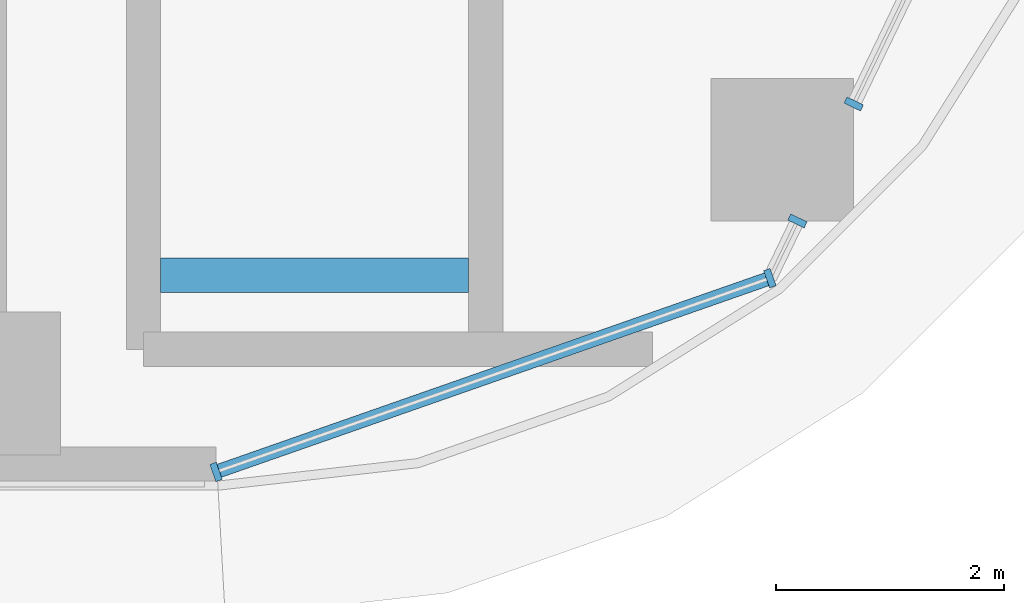
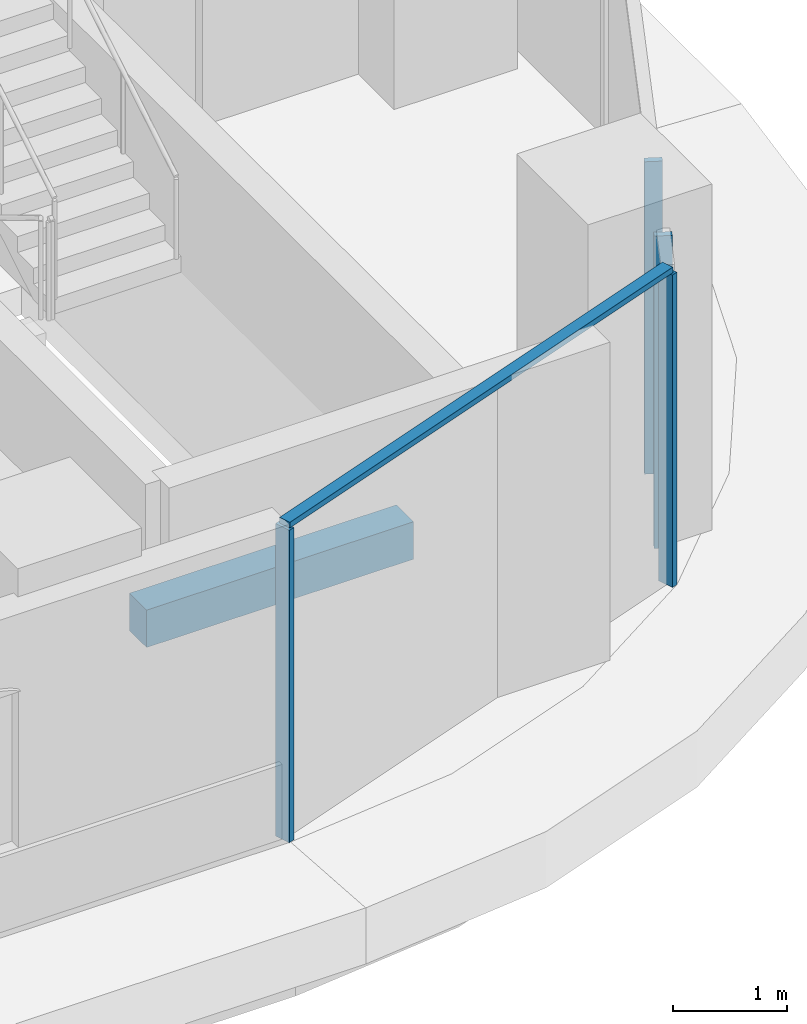
# One storey, part 3 of 40: 5 members, 1 beam, 2 elements without a shape of their own.
"""IFC4 building model written with IfcOpenShell, lengths in metres."""

from ifc_helpers import new_model, si_unit, direction, frame, origin, origin_2d, place, context, subcontext, project, spatial, rectangle, extrude, material, material_profile, profile_set, type_object, element, aggregate, save


model = new_model("IFC4")

# Units and contexts
model_context = context("Model", 3, precision=1e-05, world=origin(), true_north=direction((0.0, 1.0)))
body_context = subcontext(model_context, "Body", "Model", "MODEL_VIEW")
ifc_project = project(units=[si_unit("LENGTHUNIT", "METRE"), si_unit("AREAUNIT", "SQUARE_METRE"), si_unit("VOLUMEUNIT", "CUBIC_METRE"), si_unit("PLANEANGLEUNIT", "RADIAN"), si_unit("MASSUNIT", "GRAM", prefix="KILO")], contexts=[model_context])

# Site, building, storey
site_placement = place(None, origin())
site = spatial("IfcSite", under=ifc_project, at=site_placement, CompositionType="ELEMENT")
building_placement = place(site_placement, origin())
building = spatial("IfcBuilding", under=site, at=building_placement, Name="Ogive Portal Towers", CompositionType="ELEMENT")
storey_placement = place(building_placement, frame((0.0, 0.0, 87.10009765625)))
storey = spatial("IfcBuildingStorey", under=building, at=storey_placement, Name="L20", CompositionType="ELEMENT", Elevation=87.10009765625)

# Beam
ifc_material_1 = material(Name="Concrete C40/50", Category="concrete")
ifc_material_profile_1 = material_profile(ifc_material_1, rectangle(XDim=0.300048828125, YDim=0.39990234375, at=origin_2d()), Name="RC 300x400")
ifc_profile_set_1 = profile_set([ifc_material_profile_1], Name="Concrete C40/50")
beam_type = type_object("IfcBeamType", Name="BEAM RC 300x400", PredefinedType="BEAM", material=ifc_profile_set_1)
beam_placement = place(storey_placement, frame((87.0, 22.449951171875, 1.449951171875), z_axis=(1.0, 0.0, 0.0), x_axis=(0.0, 1.0, 0.0)))
element("IfcBeam", 1, at=beam_placement, inside=storey, type_object=beam_type, Name="Landing beam L20", PredefinedType="BEAM", context=body_context, shape_type="SweptSolid", body=[
    extrude(rectangle(XDim=0.300048828125, YDim=0.39990234375, at=origin_2d()), origin(), (0.0, 0.0, 1.0), 2.699951171875),
])

# Curtain wall, members
ifc_material_2 = material(Name="Glass, clear low-iron insulated glazing", Category="glass")
curtain_wall_type = type_object("IfcCurtainWallType", Name="CW FRONT RIBBON 4500", PredefinedType="NOTDEFINED", material=ifc_material_2)
curtain_wall_1_placement = place(storey_placement, origin())
curtain_wall_1 = element("IfcCurtainWall", 2, at=curtain_wall_1_placement, inside=storey, type_object=curtain_wall_type, Name="A:L20:f06:cwa~0", PredefinedType="NOTDEFINED")
ifc_material_3 = material(Name="Aluminium 6063 anodised", Category="aluminium")
ifc_material_profile_2 = material_profile(ifc_material_3, rectangle(XDim=0.159912109375, YDim=0.06005859375, at=origin_2d()), Name="AL 60x160")
ifc_profile_set_2 = profile_set([ifc_material_profile_2], Name="Aluminium 6063 anodised")
member_type_1 = type_object("IfcMemberType", Name="CW MULLION 60x160", PredefinedType="MULLION", material=ifc_profile_set_2)
member_1_placement = place(storey_placement, frame((87.486328125, 20.72509765625, 0.0), z_axis=(0.0, 0.0, 1.0), x_axis=(-0.33027906196, 0.943883330307, 0.0)))
member_1 = element("IfcMember", 3, at=member_1_placement, type_object=member_type_1, Name="mullion", PredefinedType="MULLION", context=body_context, shape_type="SweptSolid", body=[
    extrude(rectangle(XDim=0.159912109375, YDim=0.06005859375, at=origin_2d()), origin(), (0.0, 0.0, 1.0), 3.33984375),
])
member_2_placement = place(storey_placement, frame((92.33984375, 22.42333984375, 0.0), z_axis=(0.0, 0.0, 1.0), x_axis=(-0.33027906196, 0.943883330307, 0.0)))
member_2 = element("IfcMember", 4, at=member_2_placement, type_object=member_type_1, Name="mullion", PredefinedType="MULLION", context=body_context, shape_type="SweptSolid", body=[
    extrude(rectangle(XDim=0.159912109375, YDim=0.06005859375, at=origin_2d()), origin(), (0.0, 0.0, 1.0), 3.33984375),
])
member_3_placement = place(storey_placement, frame((92.58154296875, 22.925048828125, 0.0), z_axis=(0.0, 0.0, 1.0), x_axis=(-0.900968867905, 0.433883739113, 0.0)))
member_3 = element("IfcMember", 5, at=member_3_placement, type_object=member_type_1, Name="mullion", PredefinedType="MULLION", context=body_context, shape_type="SweptSolid", body=[
    extrude(rectangle(XDim=0.159912109375, YDim=0.06005859375, at=origin_2d()), origin(), (0.0, 0.0, 1.0), 3.33984375),
])

# Curtain wall, member
curtain_wall_2_placement = place(storey_placement, origin())
curtain_wall_2 = element("IfcCurtainWall", 6, at=curtain_wall_2_placement, inside=storey, type_object=curtain_wall_type, Name="A:L20:f06:cwa~1", PredefinedType="NOTDEFINED")
member_4_placement = place(storey_placement, frame((93.074951171875, 23.949951171875, 0.0), z_axis=(0.0, 0.0, 1.0), x_axis=(-0.900968867905, 0.433883739113, 0.0)))
member_4 = element("IfcMember", 7, at=member_4_placement, type_object=member_type_1, Name="mullion", PredefinedType="MULLION", context=body_context, shape_type="SweptSolid", body=[
    extrude(rectangle(XDim=0.159912109375, YDim=0.06005859375, at=origin_2d()), origin(), (0.0, 0.0, 1.0), 3.33984375),
])
aggregate(curtain_wall_2, [member_4])

# Member
ifc_material_profile_3 = material_profile(ifc_material_3, rectangle(XDim=0.1201171875, YDim=0.06005859375, at=origin_2d()), Name="AL 120x60")
ifc_profile_set_3 = profile_set([ifc_material_profile_3], Name="Aluminium 6063 anodised")
member_type_2 = type_object("IfcMemberType", Name="CW TRANSOM 60x120", PredefinedType="USERDEFINED", material=ifc_profile_set_3)
member_5_placement = place(storey_placement, frame((87.486328125, 20.72509765625, 3.369873046875), z_axis=(0.943887961031, 0.330265827813, 0.0), x_axis=(-0.330265827813, 0.943887961031, 0.0)))
member_5 = element("IfcMember", 8, at=member_5_placement, type_object=member_type_2, Name="transom", ObjectType="TRANSOM", PredefinedType="USERDEFINED", context=body_context, shape_type="SweptSolid", body=[
    extrude(rectangle(XDim=0.1201171875, YDim=0.06005859375, at=origin_2d()), origin(), (0.0, 0.0, 1.0), 5.14208984375),
])

aggregate(curtain_wall_1, [member_5, member_1, member_2, member_3])

save(model, "model.ifc")
